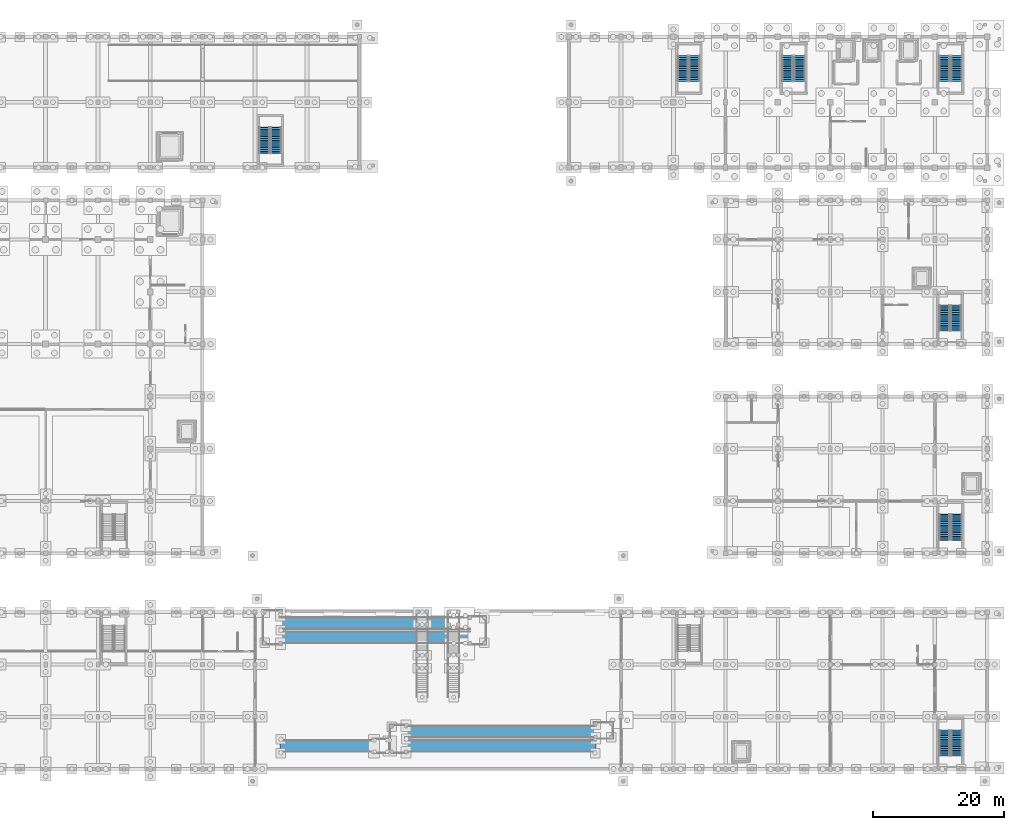
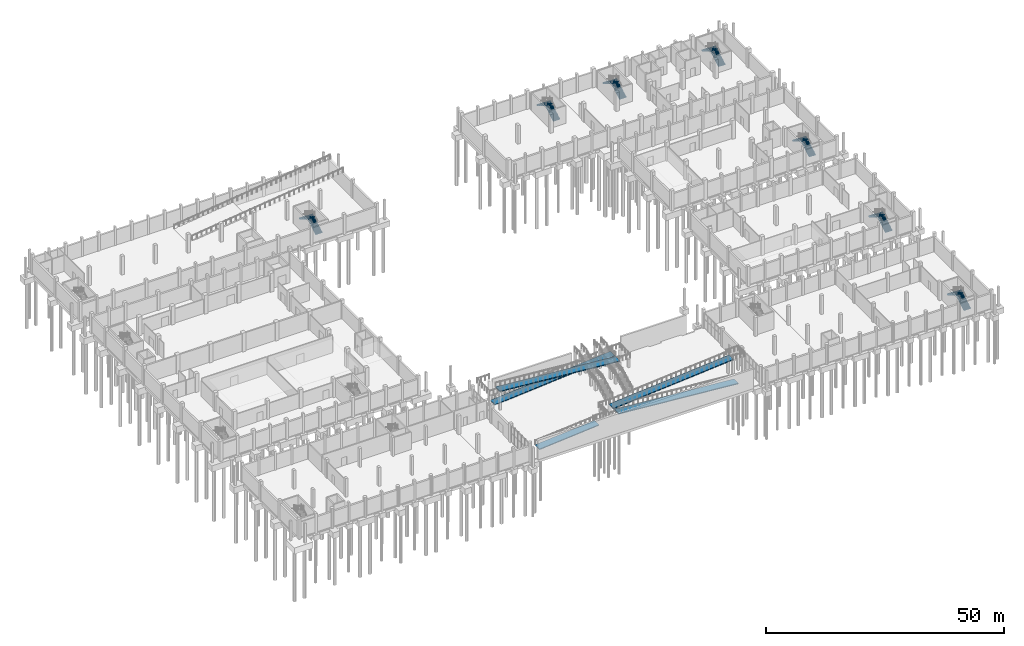
# One storey, part 36 of 52: 14 stair flights, 5 ramp flights, 12 elements without a shape of their own.
"""IFC4 building model written with IfcOpenShell, lengths in metres."""

from ifc_helpers import new_model, si_unit, direction, frame, origin, place, context, subcontext, project, spatial, polyline, outline, extrude, material, layer, layer_set, type_object, element, aggregate, save


model = new_model("IFC4")

# Units and contexts
model_context = context("Model", 3, precision=1e-05, world=origin(), true_north=direction((0.0, 1.0)))
body_context = subcontext(model_context, "Body", "Model", "MODEL_VIEW")
ifc_project = project(units=[si_unit("LENGTHUNIT", "METRE"), si_unit("AREAUNIT", "SQUARE_METRE"), si_unit("VOLUMEUNIT", "CUBIC_METRE"), si_unit("PLANEANGLEUNIT", "RADIAN"), si_unit("MASSUNIT", "GRAM", prefix="KILO")], contexts=[model_context])

# Site, building, storey
site_placement = place(None, origin())
site = spatial("IfcSite", under=ifc_project, at=site_placement, CompositionType="ELEMENT")
building_placement = place(site_placement, origin())
building = spatial("IfcBuilding", under=site, at=building_placement, Name="Luwemba Playhouse", CompositionType="ELEMENT")
storey_placement = place(building_placement, frame((0.0, 0.0, -4.800048828125)))
storey = spatial("IfcBuildingStorey", under=building, at=storey_placement, Name="B1", CompositionType="ELEMENT", Elevation=-4.800048828125)

# Stair, stair flights
ifc_material_1 = material(Name="Concrete C40/50", Category="concrete")
stair_type_1 = type_object("IfcStairType", Name="STR-DL-03", PredefinedType="HALF_TURN_STAIR", material=ifc_material_1)
stair_1_placement = place(storey_placement, origin())
stair_1 = element("IfcStair", 1, at=stair_1_placement, inside=storey, type_object=stair_type_1, Name="B1 Metro Concourse South-East Escape Stair", PredefinedType="HALF_TURN_STAIR")
stair_flight_type_1 = type_object("IfcStairFlightType", Name="SFL-DL-03", PredefinedType="STRAIGHT", material=ifc_material_1)
stair_flight_1_placement = place(storey_placement, frame((167.324951171875, 5.0400390625, 0.0), z_axis=(0.0, 0.0, 1.0), x_axis=(0.0, 1.0, 0.0)))
stair_flight_1 = element("IfcStairFlight", 2, at=stair_flight_1_placement, type_object=stair_flight_type_1, Name="ST-05 flight 1", NumberOfRisers=15, NumberOfTreads=14, PredefinedType="STRAIGHT", RiserHeight=0.16, TreadLength=0.28, context=body_context, shape_type="SweptSolid", body=[
    extrude(outline(polyline([(-0.06005859375, -0.10009765625), (-0.06005859375, 0.0), (0.0, 0.0), (0.0, 0.159912109375), (0.280029296875, 0.159912109375), (0.280029296875, 0.320068359375), (0.56005859375, 0.320068359375), (0.56005859375, 0.47998046875), (0.840087890625, 0.47998046875), (0.840087890625, 0.639892578125), (1.1201171875, 0.639892578125), (1.1201171875, 0.800048828125), (1.39990234375, 0.800048828125), (1.39990234375, 0.9599609375), (1.679931640625, 0.9599609375), (1.679931640625, 1.1201171875), (1.9599609375, 1.1201171875), (1.9599609375, 1.280029296875), (2.239990234375, 1.280029296875), (2.239990234375, 1.43994140625), (2.52001953125, 1.43994140625), (2.52001953125, 1.60009765625), (2.800048828125, 1.60009765625), (2.800048828125, 1.760009765625), (3.080078125, 1.760009765625), (3.080078125, 1.919921875), (3.360107421875, 1.919921875), (3.360107421875, 2.080078125), (3.639892578125, 2.080078125), (3.639892578125, 2.239990234375), (3.919921875, 2.239990234375), (3.919921875, 2.39990234375), (3.97998046875, 2.39990234375), (3.97998046875, 2.239990234375), (3.919921875, 2.080078125), (0.280029296875, -0.10009765625), (-0.06005859375, -0.10009765625)])), frame((0.0, 0.824951171875, 0.0), z_axis=(0.0, -1.0, 0.0), x_axis=(1.0, 0.0, 0.0)), (0.0, 0.0, 1.0), 1.64990234375),
])
stair_flight_2_placement = place(storey_placement, frame((165.47509765625, 8.9599609375, 2.400146484375), z_axis=(0.0, 0.0, 1.0), x_axis=(0.0, -1.0, 0.0)))
stair_flight_2 = element("IfcStairFlight", 3, at=stair_flight_2_placement, type_object=stair_flight_type_1, Name="ST-05 flight 2", NumberOfRisers=15, NumberOfTreads=14, PredefinedType="STRAIGHT", RiserHeight=0.16, TreadLength=0.28, context=body_context, shape_type="SweptSolid", body=[
    extrude(outline(polyline([(-0.06005859375, -0.10009765625), (-0.06005859375, 0.0), (0.0, 0.0), (0.0, 0.159912109375), (0.280029296875, 0.159912109375), (0.280029296875, 0.320068359375), (0.56005859375, 0.320068359375), (0.56005859375, 0.47998046875), (0.840087890625, 0.47998046875), (0.840087890625, 0.639892578125), (1.1201171875, 0.639892578125), (1.1201171875, 0.800048828125), (1.39990234375, 0.800048828125), (1.39990234375, 0.9599609375), (1.679931640625, 0.9599609375), (1.679931640625, 1.1201171875), (1.9599609375, 1.1201171875), (1.9599609375, 1.280029296875), (2.239990234375, 1.280029296875), (2.239990234375, 1.43994140625), (2.52001953125, 1.43994140625), (2.52001953125, 1.60009765625), (2.800048828125, 1.60009765625), (2.800048828125, 1.760009765625), (3.080078125, 1.760009765625), (3.080078125, 1.919921875), (3.360107421875, 1.919921875), (3.360107421875, 2.080078125), (3.639892578125, 2.080078125), (3.639892578125, 2.239990234375), (3.919921875, 2.239990234375), (3.919921875, 2.39990234375), (3.97998046875, 2.39990234375), (3.97998046875, 2.239990234375), (3.919921875, 2.080078125), (0.280029296875, -0.10009765625), (-0.06005859375, -0.10009765625)])), frame((0.0, 0.824951171875, 0.0), z_axis=(0.0, -1.0, 0.0), x_axis=(1.0, 0.0, 0.0)), (0.0, 0.0, 1.0), 1.64990234375),
])
aggregate(stair_1, [stair_flight_1, stair_flight_2])

stair_2_placement = place(storey_placement, origin())
stair_2 = element("IfcStair", 4, at=stair_2_placement, inside=storey, type_object=stair_type_1, Name="B1 Studio Theatre South-East Escape Stair", PredefinedType="HALF_TURN_STAIR")
stair_flight_3_placement = place(storey_placement, frame((167.324951171875, 38.0400390625, 0.0), z_axis=(0.0, 0.0, 1.0), x_axis=(0.0, 1.0, 0.0)))
stair_flight_3 = element("IfcStairFlight", 5, at=stair_flight_3_placement, type_object=stair_flight_type_1, Name="ST-06 flight 1", NumberOfRisers=15, NumberOfTreads=14, PredefinedType="STRAIGHT", RiserHeight=0.16, TreadLength=0.28, context=body_context, shape_type="SweptSolid", body=[
    extrude(outline(polyline([(-0.06005859375, -0.10009765625), (-0.06005859375, 0.0), (0.0, 0.0), (0.0, 0.159912109375), (0.280029296875, 0.159912109375), (0.280029296875, 0.320068359375), (0.56005859375, 0.320068359375), (0.56005859375, 0.47998046875), (0.840087890625, 0.47998046875), (0.840087890625, 0.639892578125), (1.1201171875, 0.639892578125), (1.1201171875, 0.800048828125), (1.39990234375, 0.800048828125), (1.39990234375, 0.9599609375), (1.679931640625, 0.9599609375), (1.679931640625, 1.1201171875), (1.9599609375, 1.1201171875), (1.9599609375, 1.280029296875), (2.239990234375, 1.280029296875), (2.239990234375, 1.43994140625), (2.52001953125, 1.43994140625), (2.52001953125, 1.60009765625), (2.800048828125, 1.60009765625), (2.800048828125, 1.760009765625), (3.080078125, 1.760009765625), (3.080078125, 1.919921875), (3.360107421875, 1.919921875), (3.360107421875, 2.080078125), (3.639892578125, 2.080078125), (3.639892578125, 2.239990234375), (3.919921875, 2.239990234375), (3.919921875, 2.39990234375), (3.97998046875, 2.39990234375), (3.97998046875, 2.239990234375), (3.919921875, 2.080078125), (0.280029296875, -0.10009765625), (-0.06005859375, -0.10009765625)])), frame((0.0, 0.824951171875, 0.0), z_axis=(0.0, -1.0, 0.0), x_axis=(1.0, 0.0, 0.0)), (0.0, 0.0, 1.0), 1.64990234375),
])
stair_flight_4_placement = place(storey_placement, frame((165.47509765625, 41.9599609375, 2.400146484375), z_axis=(0.0, 0.0, 1.0), x_axis=(0.0, -1.0, 0.0)))
stair_flight_4 = element("IfcStairFlight", 6, at=stair_flight_4_placement, type_object=stair_flight_type_1, Name="ST-06 flight 2", NumberOfRisers=15, NumberOfTreads=14, PredefinedType="STRAIGHT", RiserHeight=0.16, TreadLength=0.28, context=body_context, shape_type="SweptSolid", body=[
    extrude(outline(polyline([(-0.06005859375, -0.10009765625), (-0.06005859375, 0.0), (0.0, 0.0), (0.0, 0.159912109375), (0.280029296875, 0.159912109375), (0.280029296875, 0.320068359375), (0.56005859375, 0.320068359375), (0.56005859375, 0.47998046875), (0.840087890625, 0.47998046875), (0.840087890625, 0.639892578125), (1.1201171875, 0.639892578125), (1.1201171875, 0.800048828125), (1.39990234375, 0.800048828125), (1.39990234375, 0.9599609375), (1.679931640625, 0.9599609375), (1.679931640625, 1.1201171875), (1.9599609375, 1.1201171875), (1.9599609375, 1.280029296875), (2.239990234375, 1.280029296875), (2.239990234375, 1.43994140625), (2.52001953125, 1.43994140625), (2.52001953125, 1.60009765625), (2.800048828125, 1.60009765625), (2.800048828125, 1.760009765625), (3.080078125, 1.760009765625), (3.080078125, 1.919921875), (3.360107421875, 1.919921875), (3.360107421875, 2.080078125), (3.639892578125, 2.080078125), (3.639892578125, 2.239990234375), (3.919921875, 2.239990234375), (3.919921875, 2.39990234375), (3.97998046875, 2.39990234375), (3.97998046875, 2.239990234375), (3.919921875, 2.080078125), (0.280029296875, -0.10009765625), (-0.06005859375, -0.10009765625)])), frame((0.0, 0.824951171875, 0.0), z_axis=(0.0, -1.0, 0.0), x_axis=(1.0, 0.0, 0.0)), (0.0, 0.0, 1.0), 1.64990234375),
])
aggregate(stair_2, [stair_flight_3, stair_flight_4])

stair_3_placement = place(storey_placement, origin())
stair_3 = element("IfcStair", 7, at=stair_3_placement, inside=storey, type_object=stair_type_1, Name="B1 Conservatory Firefighting Escape Stair", PredefinedType="HALF_TURN_STAIR")
stair_flight_5_placement = place(storey_placement, frame((143.324951171875, 108.199951171875, 0.0), z_axis=(0.0, 0.0, 1.0), x_axis=(0.0, 1.0, 0.0)))
stair_flight_5 = element("IfcStairFlight", 8, at=stair_flight_5_placement, type_object=stair_flight_type_1, Name="ST-09 flight 1", NumberOfRisers=15, NumberOfTreads=14, PredefinedType="STRAIGHT", RiserHeight=0.16, TreadLength=0.28, context=body_context, shape_type="SweptSolid", body=[
    extrude(outline(polyline([(-0.06005859375, -0.10009765625), (-0.06005859375, 0.0), (0.0, 0.0), (0.0, 0.159912109375), (0.280029296875, 0.159912109375), (0.280029296875, 0.320068359375), (0.56005859375, 0.320068359375), (0.56005859375, 0.47998046875), (0.840087890625, 0.47998046875), (0.840087890625, 0.639892578125), (1.1201171875, 0.639892578125), (1.1201171875, 0.800048828125), (1.39990234375, 0.800048828125), (1.39990234375, 0.9599609375), (1.679931640625, 0.9599609375), (1.679931640625, 1.1201171875), (1.9599609375, 1.1201171875), (1.9599609375, 1.280029296875), (2.239990234375, 1.280029296875), (2.239990234375, 1.43994140625), (2.52001953125, 1.43994140625), (2.52001953125, 1.60009765625), (2.800048828125, 1.60009765625), (2.800048828125, 1.760009765625), (3.080078125, 1.760009765625), (3.080078125, 1.919921875), (3.360107421875, 1.919921875), (3.360107421875, 2.080078125), (3.639892578125, 2.080078125), (3.639892578125, 2.239990234375), (3.919921875, 2.239990234375), (3.919921875, 2.39990234375), (3.97998046875, 2.39990234375), (3.97998046875, 2.239990234375), (3.919921875, 2.080078125), (0.280029296875, -0.10009765625), (-0.06005859375, -0.10009765625)])), frame((0.0, 0.824951171875, 0.0), z_axis=(0.0, -1.0, 0.0), x_axis=(1.0, 0.0, 0.0)), (0.0, 0.0, 1.0), 1.64990234375),
])
stair_flight_6_placement = place(storey_placement, frame((141.47509765625, 112.1201171875, 2.400146484375), z_axis=(0.0, 0.0, 1.0), x_axis=(0.0, -1.0, 0.0)))
stair_flight_6 = element("IfcStairFlight", 9, at=stair_flight_6_placement, type_object=stair_flight_type_1, Name="ST-09 flight 2", NumberOfRisers=15, NumberOfTreads=14, PredefinedType="STRAIGHT", RiserHeight=0.16, TreadLength=0.28, context=body_context, shape_type="SweptSolid", body=[
    extrude(outline(polyline([(-0.06005859375, -0.10009765625), (-0.06005859375, 0.0), (0.0, 0.0), (0.0, 0.159912109375), (0.280029296875, 0.159912109375), (0.280029296875, 0.320068359375), (0.56005859375, 0.320068359375), (0.56005859375, 0.47998046875), (0.840087890625, 0.47998046875), (0.840087890625, 0.639892578125), (1.1201171875, 0.639892578125), (1.1201171875, 0.800048828125), (1.39990234375, 0.800048828125), (1.39990234375, 0.9599609375), (1.679931640625, 0.9599609375), (1.679931640625, 1.1201171875), (1.9599609375, 1.1201171875), (1.9599609375, 1.280029296875), (2.239990234375, 1.280029296875), (2.239990234375, 1.43994140625), (2.52001953125, 1.43994140625), (2.52001953125, 1.60009765625), (2.800048828125, 1.60009765625), (2.800048828125, 1.760009765625), (3.080078125, 1.760009765625), (3.080078125, 1.919921875), (3.360107421875, 1.919921875), (3.360107421875, 2.080078125), (3.639892578125, 2.080078125), (3.639892578125, 2.239990234375), (3.919921875, 2.239990234375), (3.919921875, 2.39990234375), (3.97998046875, 2.39990234375), (3.97998046875, 2.239990234375), (3.919921875, 2.080078125), (0.280029296875, -0.10009765625), (-0.06005859375, -0.10009765625)])), frame((0.0, 0.824951171875, 0.0), z_axis=(0.0, -1.0, 0.0), x_axis=(1.0, 0.0, 0.0)), (0.0, 0.0, 1.0), 1.64990234375),
])
aggregate(stair_3, [stair_flight_5, stair_flight_6])

stair_4_placement = place(storey_placement, origin())
stair_4 = element("IfcStair", 10, at=stair_4_placement, inside=storey, type_object=stair_type_1, Name="B1 Conservatory East Escape Stair", PredefinedType="HALF_TURN_STAIR")
stair_flight_7_placement = place(storey_placement, frame((167.324951171875, 108.199951171875, 0.0), z_axis=(0.0, 0.0, 1.0), x_axis=(0.0, 1.0, 0.0)))
stair_flight_7 = element("IfcStairFlight", 11, at=stair_flight_7_placement, type_object=stair_flight_type_1, Name="ST-10 flight 1", NumberOfRisers=15, NumberOfTreads=14, PredefinedType="STRAIGHT", RiserHeight=0.16, TreadLength=0.28, context=body_context, shape_type="SweptSolid", body=[
    extrude(outline(polyline([(-0.06005859375, -0.10009765625), (-0.06005859375, 0.0), (0.0, 0.0), (0.0, 0.159912109375), (0.280029296875, 0.159912109375), (0.280029296875, 0.320068359375), (0.56005859375, 0.320068359375), (0.56005859375, 0.47998046875), (0.840087890625, 0.47998046875), (0.840087890625, 0.639892578125), (1.1201171875, 0.639892578125), (1.1201171875, 0.800048828125), (1.39990234375, 0.800048828125), (1.39990234375, 0.9599609375), (1.679931640625, 0.9599609375), (1.679931640625, 1.1201171875), (1.9599609375, 1.1201171875), (1.9599609375, 1.280029296875), (2.239990234375, 1.280029296875), (2.239990234375, 1.43994140625), (2.52001953125, 1.43994140625), (2.52001953125, 1.60009765625), (2.800048828125, 1.60009765625), (2.800048828125, 1.760009765625), (3.080078125, 1.760009765625), (3.080078125, 1.919921875), (3.360107421875, 1.919921875), (3.360107421875, 2.080078125), (3.639892578125, 2.080078125), (3.639892578125, 2.239990234375), (3.919921875, 2.239990234375), (3.919921875, 2.39990234375), (3.97998046875, 2.39990234375), (3.97998046875, 2.239990234375), (3.919921875, 2.080078125), (0.280029296875, -0.10009765625), (-0.06005859375, -0.10009765625)])), frame((0.0, 0.824951171875, 0.0), z_axis=(0.0, -1.0, 0.0), x_axis=(1.0, 0.0, 0.0)), (0.0, 0.0, 1.0), 1.64990234375),
])
stair_flight_8_placement = place(storey_placement, frame((165.47509765625, 112.1201171875, 2.400146484375), z_axis=(0.0, 0.0, 1.0), x_axis=(0.0, -1.0, 0.0)))
stair_flight_8 = element("IfcStairFlight", 12, at=stair_flight_8_placement, type_object=stair_flight_type_1, Name="ST-10 flight 2", NumberOfRisers=15, NumberOfTreads=14, PredefinedType="STRAIGHT", RiserHeight=0.16, TreadLength=0.28, context=body_context, shape_type="SweptSolid", body=[
    extrude(outline(polyline([(-0.06005859375, -0.10009765625), (-0.06005859375, 0.0), (0.0, 0.0), (0.0, 0.159912109375), (0.280029296875, 0.159912109375), (0.280029296875, 0.320068359375), (0.56005859375, 0.320068359375), (0.56005859375, 0.47998046875), (0.840087890625, 0.47998046875), (0.840087890625, 0.639892578125), (1.1201171875, 0.639892578125), (1.1201171875, 0.800048828125), (1.39990234375, 0.800048828125), (1.39990234375, 0.9599609375), (1.679931640625, 0.9599609375), (1.679931640625, 1.1201171875), (1.9599609375, 1.1201171875), (1.9599609375, 1.280029296875), (2.239990234375, 1.280029296875), (2.239990234375, 1.43994140625), (2.52001953125, 1.43994140625), (2.52001953125, 1.60009765625), (2.800048828125, 1.60009765625), (2.800048828125, 1.760009765625), (3.080078125, 1.760009765625), (3.080078125, 1.919921875), (3.360107421875, 1.919921875), (3.360107421875, 2.080078125), (3.639892578125, 2.080078125), (3.639892578125, 2.239990234375), (3.919921875, 2.239990234375), (3.919921875, 2.39990234375), (3.97998046875, 2.39990234375), (3.97998046875, 2.239990234375), (3.919921875, 2.080078125), (0.280029296875, -0.10009765625), (-0.06005859375, -0.10009765625)])), frame((0.0, 0.824951171875, 0.0), z_axis=(0.0, -1.0, 0.0), x_axis=(1.0, 0.0, 0.0)), (0.0, 0.0, 1.0), 1.64990234375),
])
aggregate(stair_4, [stair_flight_7, stair_flight_8])

stair_type_2 = type_object("IfcStairType", Name="STR-DL-05", PredefinedType="HALF_TURN_STAIR", material=ifc_material_1)
stair_5_placement = place(storey_placement, origin())
stair_5 = element("IfcStair", 13, at=stair_5_placement, inside=storey, type_object=stair_type_2, Name="B1 Black-Box Firefighting Escape Stair", PredefinedType="HALF_TURN_STAIR")
stair_flight_type_2 = type_object("IfcStairFlightType", Name="SFL-DL-05", PredefinedType="STRAIGHT", material=ifc_material_1)
stair_flight_9_placement = place(storey_placement, frame((167.25, 70.0400390625, 0.0), z_axis=(0.0, 0.0, 1.0), x_axis=(0.0, 1.0, 0.0)))
stair_flight_9 = element("IfcStairFlight", 14, at=stair_flight_9_placement, type_object=stair_flight_type_2, Name="ST-07 flight 1", NumberOfRisers=15, NumberOfTreads=14, PredefinedType="STRAIGHT", RiserHeight=0.16, TreadLength=0.28, context=body_context, shape_type="SweptSolid", body=[
    extrude(outline(polyline([(-0.06005859375, -0.10009765625), (-0.06005859375, 0.0), (0.0, 0.0), (0.0, 0.159912109375), (0.280029296875, 0.159912109375), (0.280029296875, 0.320068359375), (0.56005859375, 0.320068359375), (0.56005859375, 0.47998046875), (0.840087890625, 0.47998046875), (0.840087890625, 0.639892578125), (1.1201171875, 0.639892578125), (1.1201171875, 0.800048828125), (1.39990234375, 0.800048828125), (1.39990234375, 0.9599609375), (1.679931640625, 0.9599609375), (1.679931640625, 1.1201171875), (1.9599609375, 1.1201171875), (1.9599609375, 1.280029296875), (2.239990234375, 1.280029296875), (2.239990234375, 1.43994140625), (2.52001953125, 1.43994140625), (2.52001953125, 1.60009765625), (2.800048828125, 1.60009765625), (2.800048828125, 1.760009765625), (3.080078125, 1.760009765625), (3.080078125, 1.919921875), (3.360107421875, 1.919921875), (3.360107421875, 2.080078125), (3.639892578125, 2.080078125), (3.639892578125, 2.239990234375), (3.919921875, 2.239990234375), (3.919921875, 2.39990234375), (3.97998046875, 2.39990234375), (3.97998046875, 2.239990234375), (3.919921875, 2.080078125), (0.280029296875, -0.10009765625), (-0.06005859375, -0.10009765625)])), frame((0.0, 0.800048828125, 0.0), z_axis=(0.0, -1.0, 0.0), x_axis=(1.0, 0.0, 0.0)), (0.0, 0.0, 1.0), 1.60009765625),
])
stair_flight_10_placement = place(storey_placement, frame((165.449951171875, 73.9599609375, 2.400146484375), z_axis=(0.0, 0.0, 1.0), x_axis=(0.0, -1.0, 0.0)))
stair_flight_10 = element("IfcStairFlight", 15, at=stair_flight_10_placement, type_object=stair_flight_type_2, Name="ST-07 flight 2", NumberOfRisers=15, NumberOfTreads=14, PredefinedType="STRAIGHT", RiserHeight=0.16, TreadLength=0.28, context=body_context, shape_type="SweptSolid", body=[
    extrude(outline(polyline([(-0.06005859375, -0.10009765625), (-0.06005859375, 0.0), (0.0, 0.0), (0.0, 0.159912109375), (0.280029296875, 0.159912109375), (0.280029296875, 0.320068359375), (0.56005859375, 0.320068359375), (0.56005859375, 0.47998046875), (0.840087890625, 0.47998046875), (0.840087890625, 0.639892578125), (1.1201171875, 0.639892578125), (1.1201171875, 0.800048828125), (1.39990234375, 0.800048828125), (1.39990234375, 0.9599609375), (1.679931640625, 0.9599609375), (1.679931640625, 1.1201171875), (1.9599609375, 1.1201171875), (1.9599609375, 1.280029296875), (2.239990234375, 1.280029296875), (2.239990234375, 1.43994140625), (2.52001953125, 1.43994140625), (2.52001953125, 1.60009765625), (2.800048828125, 1.60009765625), (2.800048828125, 1.760009765625), (3.080078125, 1.760009765625), (3.080078125, 1.919921875), (3.360107421875, 1.919921875), (3.360107421875, 2.080078125), (3.639892578125, 2.080078125), (3.639892578125, 2.239990234375), (3.919921875, 2.239990234375), (3.919921875, 2.39990234375), (3.97998046875, 2.39990234375), (3.97998046875, 2.239990234375), (3.919921875, 2.080078125), (0.280029296875, -0.10009765625), (-0.06005859375, -0.10009765625)])), frame((0.0, 0.800048828125, 0.0), z_axis=(0.0, -1.0, 0.0), x_axis=(1.0, 0.0, 0.0)), (0.0, 0.0, 1.0), 1.60009765625),
])
aggregate(stair_5, [stair_flight_9, stair_flight_10])

stair_6_placement = place(storey_placement, origin())
stair_6 = element("IfcStair", 16, at=stair_6_placement, inside=storey, type_object=stair_type_2, Name="B1 Workshops East Escape Stair", PredefinedType="HALF_TURN_STAIR")
stair_flight_11_placement = place(storey_placement, frame((63.25, 97.199951171875, 0.0), z_axis=(0.0, 0.0, 1.0), x_axis=(0.0, 1.0, 0.0)))
stair_flight_11 = element("IfcStairFlight", 17, at=stair_flight_11_placement, type_object=stair_flight_type_2, Name="ST-15 flight 1", NumberOfRisers=15, NumberOfTreads=14, PredefinedType="STRAIGHT", RiserHeight=0.16, TreadLength=0.28, context=body_context, shape_type="SweptSolid", body=[
    extrude(outline(polyline([(-0.06005859375, -0.10009765625), (-0.06005859375, 0.0), (0.0, 0.0), (0.0, 0.159912109375), (0.280029296875, 0.159912109375), (0.280029296875, 0.320068359375), (0.56005859375, 0.320068359375), (0.56005859375, 0.47998046875), (0.840087890625, 0.47998046875), (0.840087890625, 0.639892578125), (1.1201171875, 0.639892578125), (1.1201171875, 0.800048828125), (1.39990234375, 0.800048828125), (1.39990234375, 0.9599609375), (1.679931640625, 0.9599609375), (1.679931640625, 1.1201171875), (1.9599609375, 1.1201171875), (1.9599609375, 1.280029296875), (2.239990234375, 1.280029296875), (2.239990234375, 1.43994140625), (2.52001953125, 1.43994140625), (2.52001953125, 1.60009765625), (2.800048828125, 1.60009765625), (2.800048828125, 1.760009765625), (3.080078125, 1.760009765625), (3.080078125, 1.919921875), (3.360107421875, 1.919921875), (3.360107421875, 2.080078125), (3.639892578125, 2.080078125), (3.639892578125, 2.239990234375), (3.919921875, 2.239990234375), (3.919921875, 2.39990234375), (3.97998046875, 2.39990234375), (3.97998046875, 2.239990234375), (3.919921875, 2.080078125), (0.280029296875, -0.10009765625), (-0.06005859375, -0.10009765625)])), frame((0.0, 0.800048828125, 0.0), z_axis=(0.0, -1.0, 0.0), x_axis=(1.0, 0.0, 0.0)), (0.0, 0.0, 1.0), 1.60009765625),
])
stair_flight_12_placement = place(storey_placement, frame((61.449951171875, 101.1201171875, 2.400146484375), z_axis=(0.0, 0.0, 1.0), x_axis=(0.0, -1.0, 0.0)))
stair_flight_12 = element("IfcStairFlight", 18, at=stair_flight_12_placement, type_object=stair_flight_type_2, Name="ST-15 flight 2", NumberOfRisers=15, NumberOfTreads=14, PredefinedType="STRAIGHT", RiserHeight=0.16, TreadLength=0.28, context=body_context, shape_type="SweptSolid", body=[
    extrude(outline(polyline([(-0.06005859375, -0.10009765625), (-0.06005859375, 0.0), (0.0, 0.0), (0.0, 0.159912109375), (0.280029296875, 0.159912109375), (0.280029296875, 0.320068359375), (0.56005859375, 0.320068359375), (0.56005859375, 0.47998046875), (0.840087890625, 0.47998046875), (0.840087890625, 0.639892578125), (1.1201171875, 0.639892578125), (1.1201171875, 0.800048828125), (1.39990234375, 0.800048828125), (1.39990234375, 0.9599609375), (1.679931640625, 0.9599609375), (1.679931640625, 1.1201171875), (1.9599609375, 1.1201171875), (1.9599609375, 1.280029296875), (2.239990234375, 1.280029296875), (2.239990234375, 1.43994140625), (2.52001953125, 1.43994140625), (2.52001953125, 1.60009765625), (2.800048828125, 1.60009765625), (2.800048828125, 1.760009765625), (3.080078125, 1.760009765625), (3.080078125, 1.919921875), (3.360107421875, 1.919921875), (3.360107421875, 2.080078125), (3.639892578125, 2.080078125), (3.639892578125, 2.239990234375), (3.919921875, 2.239990234375), (3.919921875, 2.39990234375), (3.97998046875, 2.39990234375), (3.97998046875, 2.239990234375), (3.919921875, 2.080078125), (0.280029296875, -0.10009765625), (-0.06005859375, -0.10009765625)])), frame((0.0, 0.800048828125, 0.0), z_axis=(0.0, -1.0, 0.0), x_axis=(1.0, 0.0, 0.0)), (0.0, 0.0, 1.0), 1.60009765625),
])
aggregate(stair_6, [stair_flight_11, stair_flight_12])

stair_7_placement = place(storey_placement, origin())
stair_7 = element("IfcStair", 19, at=stair_7_placement, inside=storey, type_object=stair_type_2, Name="B1 Conservatory West Escape Stair", PredefinedType="HALF_TURN_STAIR")
stair_flight_13_placement = place(storey_placement, frame((127.25, 108.199951171875, 0.0), z_axis=(0.0, 0.0, 1.0), x_axis=(0.0, 1.0, 0.0)))
stair_flight_13 = element("IfcStairFlight", 20, at=stair_flight_13_placement, type_object=stair_flight_type_2, Name="ST-16 flight 1", NumberOfRisers=15, NumberOfTreads=14, PredefinedType="STRAIGHT", RiserHeight=0.16, TreadLength=0.28, context=body_context, shape_type="SweptSolid", body=[
    extrude(outline(polyline([(-0.06005859375, -0.10009765625), (-0.06005859375, 0.0), (0.0, 0.0), (0.0, 0.159912109375), (0.280029296875, 0.159912109375), (0.280029296875, 0.320068359375), (0.56005859375, 0.320068359375), (0.56005859375, 0.47998046875), (0.840087890625, 0.47998046875), (0.840087890625, 0.639892578125), (1.1201171875, 0.639892578125), (1.1201171875, 0.800048828125), (1.39990234375, 0.800048828125), (1.39990234375, 0.9599609375), (1.679931640625, 0.9599609375), (1.679931640625, 1.1201171875), (1.9599609375, 1.1201171875), (1.9599609375, 1.280029296875), (2.239990234375, 1.280029296875), (2.239990234375, 1.43994140625), (2.52001953125, 1.43994140625), (2.52001953125, 1.60009765625), (2.800048828125, 1.60009765625), (2.800048828125, 1.760009765625), (3.080078125, 1.760009765625), (3.080078125, 1.919921875), (3.360107421875, 1.919921875), (3.360107421875, 2.080078125), (3.639892578125, 2.080078125), (3.639892578125, 2.239990234375), (3.919921875, 2.239990234375), (3.919921875, 2.39990234375), (3.97998046875, 2.39990234375), (3.97998046875, 2.239990234375), (3.919921875, 2.080078125), (0.280029296875, -0.10009765625), (-0.06005859375, -0.10009765625)])), frame((0.0, 0.800048828125, 0.0), z_axis=(0.0, -1.0, 0.0), x_axis=(1.0, 0.0, 0.0)), (0.0, 0.0, 1.0), 1.60009765625),
])
stair_flight_14_placement = place(storey_placement, frame((125.449951171875, 112.1201171875, 2.400146484375), z_axis=(0.0, 0.0, 1.0), x_axis=(0.0, -1.0, 0.0)))
stair_flight_14 = element("IfcStairFlight", 21, at=stair_flight_14_placement, type_object=stair_flight_type_2, Name="ST-16 flight 2", NumberOfRisers=15, NumberOfTreads=14, PredefinedType="STRAIGHT", RiserHeight=0.16, TreadLength=0.28, context=body_context, shape_type="SweptSolid", body=[
    extrude(outline(polyline([(-0.06005859375, -0.10009765625), (-0.06005859375, 0.0), (0.0, 0.0), (0.0, 0.159912109375), (0.280029296875, 0.159912109375), (0.280029296875, 0.320068359375), (0.56005859375, 0.320068359375), (0.56005859375, 0.47998046875), (0.840087890625, 0.47998046875), (0.840087890625, 0.639892578125), (1.1201171875, 0.639892578125), (1.1201171875, 0.800048828125), (1.39990234375, 0.800048828125), (1.39990234375, 0.9599609375), (1.679931640625, 0.9599609375), (1.679931640625, 1.1201171875), (1.9599609375, 1.1201171875), (1.9599609375, 1.280029296875), (2.239990234375, 1.280029296875), (2.239990234375, 1.43994140625), (2.52001953125, 1.43994140625), (2.52001953125, 1.60009765625), (2.800048828125, 1.60009765625), (2.800048828125, 1.760009765625), (3.080078125, 1.760009765625), (3.080078125, 1.919921875), (3.360107421875, 1.919921875), (3.360107421875, 2.080078125), (3.639892578125, 2.080078125), (3.639892578125, 2.239990234375), (3.919921875, 2.239990234375), (3.919921875, 2.39990234375), (3.97998046875, 2.39990234375), (3.97998046875, 2.239990234375), (3.919921875, 2.080078125), (0.280029296875, -0.10009765625), (-0.06005859375, -0.10009765625)])), frame((0.0, 0.800048828125, 0.0), z_axis=(0.0, -1.0, 0.0), x_axis=(1.0, 0.0, 0.0)), (0.0, 0.0, 1.0), 1.60009765625),
])
aggregate(stair_7, [stair_flight_13, stair_flight_14])

# Ramp, ramp flight
ifc_material_2 = material(Name="Concrete C32/40", Category="concrete")
ramp_type = type_object("IfcRampType", Name="RMP-ACC", PredefinedType="STRAIGHT_RUN_RAMP", material=ifc_material_2)
ramp_1_placement = place(storey_placement, origin())
ramp_1 = element("IfcRamp", 22, at=ramp_1_placement, inside=storey, type_object=ramp_type, Name="Accessible pedestrian ramp RMP-ACC-FC1", PredefinedType="STRAIGHT_RUN_RAMP")
ifc_layer = layer(ifc_material_2, 0.219970703125)
ifc_layer_set = layer_set([ifc_layer], Name="Concrete C32/40")
ramp_flight_type = type_object("IfcRampFlightType", Name="RFL-ACC-220", PredefinedType="STRAIGHT", material=ifc_layer_set)
ramp_flight_1_placement = place(storey_placement, frame((63.85009765625, 24.39990234375, 0.0), z_axis=(-0.082200548803, 0.0, 0.996615808512), x_axis=(0.996615808512, 0.0, 0.082200548803)))
ramp_flight_1 = element("IfcRampFlight", 23, at=ramp_flight_1_placement, type_object=ramp_flight_type, Name="Accessible ramp flight RMP-ACC-FC1", PredefinedType="STRAIGHT", context=body_context, shape_type="SweptSolid", body=[
    extrude(outline(polyline([(0.0, 0.0), (29.198667397285277, 0.0), (29.198667397285277, 1.85009765625), (0.0, 1.85009765625), (0.0, 0.0)])), origin(), (0.0, 0.0, -1.0), 0.219970703125),
])
aggregate(ramp_1, [ramp_flight_1])

ramp_2_placement = place(storey_placement, origin())
ramp_2 = element("IfcRamp", 24, at=ramp_2_placement, inside=storey, type_object=ramp_type, Name="Accessible pedestrian ramp RMP-ACC-FC2", PredefinedType="STRAIGHT_RUN_RAMP")
ramp_flight_2_placement = place(storey_placement, frame((92.949951171875, 22.199951171875, 2.400146484375), z_axis=(0.08219224393, 0.0, 0.996616493461), x_axis=(-0.996616493461, 0.0, 0.08219224393)))
ramp_flight_2 = element("IfcRampFlight", 25, at=ramp_flight_2_placement, type_object=ramp_flight_type, Name="Accessible ramp flight RMP-ACC-FC2", PredefinedType="STRAIGHT", context=body_context, shape_type="SweptSolid", body=[
    extrude(outline(polyline([(0.0, 0.0), (29.1986473298057, 0.0), (29.1986473298057, -1.85009765625), (0.0, -1.85009765625), (0.0, 0.0)])), origin(), (0.0, 0.0, -1.0), 0.219970703125),
])
aggregate(ramp_2, [ramp_flight_2])

ramp_3_placement = place(storey_placement, origin())
ramp_3 = element("IfcRamp", 26, at=ramp_3_placement, inside=storey, type_object=ramp_type, Name="Accessible pedestrian ramp RMP-ACC-FC3", PredefinedType="STRAIGHT_RUN_RAMP")
ramp_flight_3_placement = place(storey_placement, frame((112.14990234375, 5.60009765625, 0.0), z_axis=(0.082200548803, 0.0, 0.996615808512), x_axis=(-0.996615808512, 0.0, 0.082200548803)))
ramp_flight_3 = element("IfcRampFlight", 27, at=ramp_flight_3_placement, type_object=ramp_flight_type, Name="Accessible ramp flight RMP-ACC-FC3", PredefinedType="STRAIGHT", context=body_context, shape_type="SweptSolid", body=[
    extrude(outline(polyline([(0.0, 0.0), (29.198667397285277, 0.0), (29.198667397285277, -1.849853515625), (0.0, -1.849853515625), (0.0, 0.0)])), origin(), (0.0, 0.0, -1.0), 0.219970703125),
])
aggregate(ramp_3, [ramp_flight_3])

ramp_4_placement = place(storey_placement, origin())
ramp_4 = element("IfcRamp", 28, at=ramp_4_placement, inside=storey, type_object=ramp_type, Name="Accessible pedestrian ramp RMP-ACC-FC4", PredefinedType="STRAIGHT_RUN_RAMP")
ramp_flight_4_placement = place(storey_placement, frame((83.050048828125, 7.800048828125, 2.400146484375), z_axis=(-0.08219224393, 0.0, 0.996616493461), x_axis=(0.996616493461, 0.0, 0.08219224393)))
ramp_flight_4 = element("IfcRampFlight", 29, at=ramp_flight_4_placement, type_object=ramp_flight_type, Name="Accessible ramp flight RMP-ACC-FC4", PredefinedType="STRAIGHT", context=body_context, shape_type="SweptSolid", body=[
    extrude(outline(polyline([(0.0, 0.0), (29.1986473298057, 0.0), (29.1986473298057, 1.8498535156250004), (0.0, 1.8498535156250004), (0.0, 0.0)])), origin(), (0.0, 0.0, -1.0), 0.219970703125),
])
aggregate(ramp_4, [ramp_flight_4])

ramp_5_placement = place(storey_placement, origin())
ramp_5 = element("IfcRamp", 30, at=ramp_5_placement, inside=storey, type_object=ramp_type, Name="Accessible pedestrian ramp RMP-ACC-FC5", PredefinedType="STRAIGHT_RUN_RAMP")
ramp_flight_5_placement = place(storey_placement, frame((63.85009765625, 5.60009765625, 0.0), z_axis=(-0.083042683313, 0.0, 0.996545991286), x_axis=(0.996545991286, 0.0, 0.083042683313)))
ramp_flight_5 = element("IfcRampFlight", 31, at=ramp_flight_5_placement, type_object=ramp_flight_type, Name="Accessible ramp flight RMP-ACC-FC5", PredefinedType="STRAIGHT", context=body_context, shape_type="SweptSolid", body=[
    extrude(outline(polyline([(0.0, 0.0), (14.449812120730877, 0.0), (14.449812120730877, 1.8498535156250004), (0.0, 1.8498535156250004), (0.0, 0.0)])), origin(), (0.0, 0.0, -1.0), 0.219970703125),
])
aggregate(ramp_5, [ramp_flight_5])

save(model, "model.ifc")
